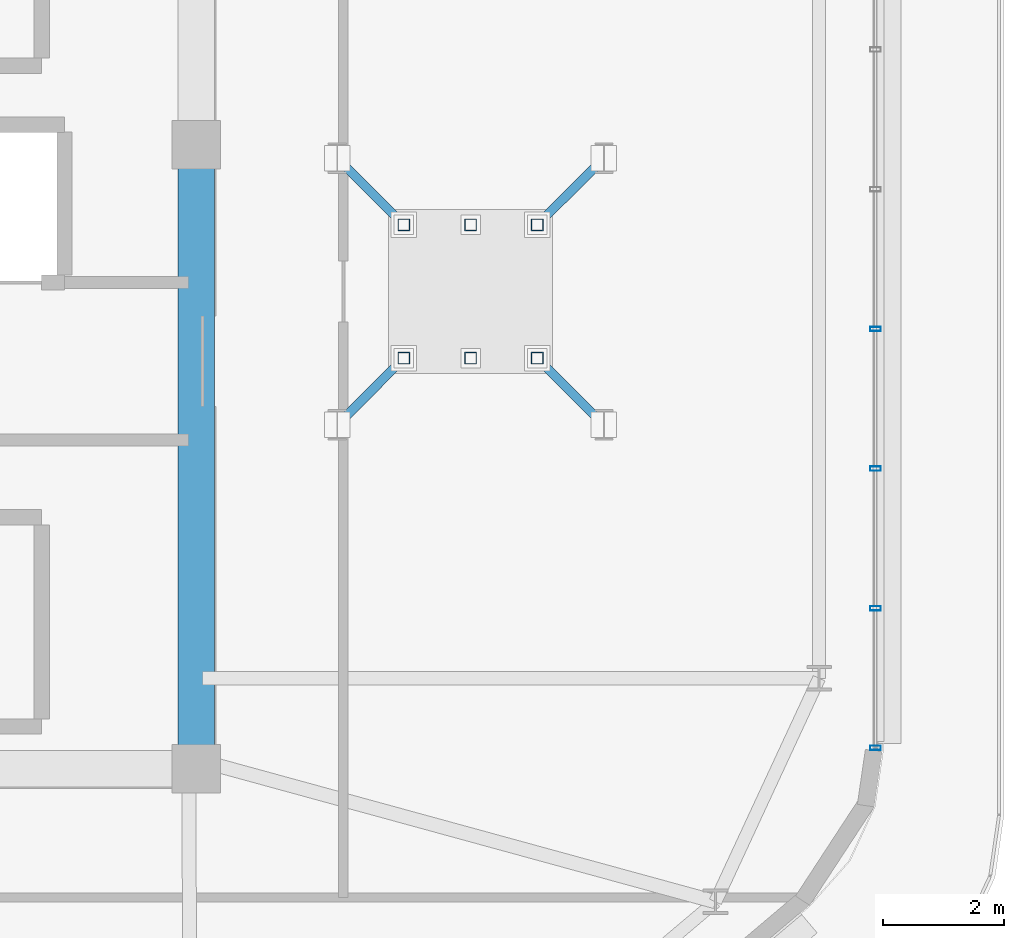
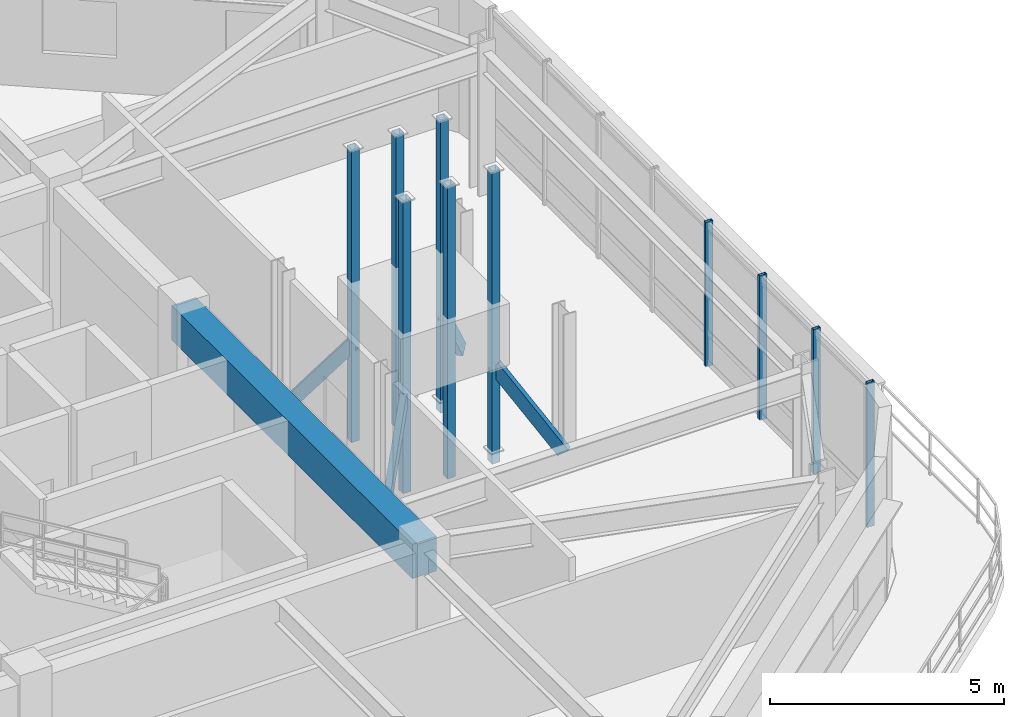
# One storey, part 2 of 13: 14 members, 1 beam, 1 element without a shape of its own.
"""IFC4 building model written with IfcOpenShell, lengths in metres."""

import ifcopenshell
import ifcopenshell.guid

model = None  # the IFC model being written
_history = None  # IfcOwnerHistory: only IFC2X3 demands one
_inside = {}  # id of a spatial element -> (the spatial element, [elements in it])
_under = {}  # id of a project, library or spatial element -> (it, [spatial elements below it])
_declared = {}  # id of a project -> (the project, [libraries it declares])
_typed = {}  # id of a type object -> (the type object, [elements of that type])
_made_of = {}  # id of a material, layer set ... -> (it, [elements and type objects made of it])


def new_model(schema):
    """Start an empty IFC model of exactly this schema.

    Asked for "IFC4X3", IfcOpenShell would pick the latest addendum, in which some entities
    have other attributes; the version numbers below select the first issue.
    IFC2X3 requires an IfcOwnerHistory on every rooted entity: one is made here for all.
    """
    global model, _history
    if schema == "IFC4X3":
        model = ifcopenshell.file(schema_version=(4, 3, 0, 0))
    else:
        model = ifcopenshell.file(schema=schema)
    _inside.clear()
    _under.clear()
    _declared.clear()
    _typed.clear()
    _made_of.clear()
    _history = None
    if model.schema == "IFC2X3":
        org = make("IfcOrganization", Name="unknown")
        user = make(
            "IfcPersonAndOrganization",
            ThePerson=make("IfcPerson", FamilyName="unknown"),
            TheOrganization=org,
        )
        app = make(
            "IfcApplication",
            ApplicationDeveloper=org,
            Version="unknown",
            ApplicationFullName="unknown",
            ApplicationIdentifier="unknown",
        )
        _history = make(
            "IfcOwnerHistory",
            OwningUser=user,
            OwningApplication=app,
            ChangeAction="ADDED",
            CreationDate=0,
        )
    return model


def make(cls, **values):
    """One entity of the class cls with the attributes given. An attribute that is None is left unset."""
    return model.create_entity(
        cls, **{name: value for name, value in values.items() if value is not None}
    )


def rooted(cls, **values):
    """An entity with a GlobalId (a new one), such as an element, a storey or a relation."""
    return make(cls, GlobalId=ifcopenshell.guid.new(), OwnerHistory=_history, **values)


def si_unit(unit_type, name, prefix=None):
    """IfcSIUnit, for example si_unit("LENGTHUNIT", "METRE", prefix="MILLI")."""
    return make("IfcSIUnit", UnitType=unit_type, Prefix=prefix, Name=name)


def assignment(units):
    """IfcUnitAssignment: the units of a project."""
    return None if units is None else make("IfcUnitAssignment", Units=units)


def point(xyz):
    """IfcCartesianPoint."""
    return None if xyz is None else make("IfcCartesianPoint", Coordinates=xyz)


def direction(xyz):
    """IfcDirection."""
    return None if xyz is None else make("IfcDirection", DirectionRatios=xyz)


def frame(location, z_axis=None, x_axis=None):
    """IfcAxis2Placement3D, a coordinate frame: its origin and axes. An axis left out is left unset."""
    return make(
        "IfcAxis2Placement3D",
        Location=point(location),
        Axis=direction(z_axis),
        RefDirection=direction(x_axis),
    )


def frame_2d(location, x_axis=None):
    """IfcAxis2Placement2D, a coordinate frame in the plane: its origin and x axis."""
    return make(
        "IfcAxis2Placement2D", Location=point(location), RefDirection=direction(x_axis)
    )


def origin():
    """The frame at (0, 0, 0) with its axes left unset."""
    return frame((0.0, 0.0, 0.0))


def origin_2d():
    """The frame at (0, 0) in the plane with its x axis left unset."""
    return frame_2d((0.0, 0.0))


def place(relative_to, where):
    """IfcLocalPlacement: puts the frame where relative to a parent placement (None: the world)."""
    return make(
        "IfcLocalPlacement", PlacementRelTo=relative_to, RelativePlacement=where
    )


def context(
    kind, dimensions, precision=None, world=None, true_north=None, identifier=None
):
    """IfcGeometricRepresentationContext, for example the 3D "Model" context."""
    return make(
        "IfcGeometricRepresentationContext",
        ContextIdentifier=identifier,
        ContextType=kind,
        CoordinateSpaceDimension=dimensions,
        Precision=precision,
        WorldCoordinateSystem=world,
        TrueNorth=true_north,
    )


def subcontext(parent, identifier, kind, view, scale=None):
    """IfcGeometricRepresentationSubContext, for example "Body" below "Model"."""
    return make(
        "IfcGeometricRepresentationSubContext",
        ContextIdentifier=identifier,
        ContextType=kind,
        ParentContext=parent,
        TargetScale=scale,
        TargetView=view,
    )


def project(units=None, contexts=None):
    """IfcProject with its units and contexts."""
    return rooted(
        "IfcProject",
        Name="project",
        RepresentationContexts=contexts,
        UnitsInContext=assignment(units),
    )


def spatial(cls, under=None, at=None, **own):
    """A site, building, storey or space (cls), placed at a placement, below another one or the project."""
    s = rooted(cls, ObjectPlacement=at, **own)
    if under is not None:
        _under.setdefault(under.id(), (under, []))[1].append(s)
    return s


def profile(cls, at=None, kind="AREA", **sizes):
    """A parametric profile (cls). Its sizes go by their IFC names, for example OverallWidth=200.0."""
    return make(cls, ProfileType=kind, Position=at, **sizes)


def rectangle(**sizes):
    """IfcRectangleProfileDef."""
    return profile("IfcRectangleProfileDef", **sizes)


def hollow_rectangle(**sizes):
    """IfcRectangleHollowProfileDef."""
    return profile("IfcRectangleHollowProfileDef", **sizes)


def extrude(swept, where, along, depth):
    """IfcExtrudedAreaSolid: the profile swept, set in the frame where, extruded along a direction by depth."""
    return make(
        "IfcExtrudedAreaSolid",
        SweptArea=swept,
        Position=where,
        ExtrudedDirection=direction(along),
        Depth=depth,
    )


def shape(context_of_items, identifier, shape_type, items):
    """IfcShapeRepresentation: the items that make up one representation, for example the "Body"."""
    return make(
        "IfcShapeRepresentation",
        ContextOfItems=context_of_items,
        RepresentationIdentifier=identifier,
        RepresentationType=shape_type,
        Items=items,
    )


def material(Name=None, Category=None):
    """IfcMaterial."""
    return make("IfcMaterial", Name=Name, Category=Category)


def material_profile(
    of_material, cross_section, Name=None, Category=None, Priority=None
):
    """IfcMaterialProfile: a cross section and its material."""
    return make(
        "IfcMaterialProfile",
        Name=Name,
        Material=of_material,
        Profile=cross_section,
        Priority=Priority,
        Category=Category,
    )


def profile_set(profiles, Name=None, composite=None):
    """IfcMaterialProfileSet."""
    return make(
        "IfcMaterialProfileSet",
        Name=Name,
        MaterialProfiles=profiles,
        CompositeProfile=composite,
    )


def made_of(thing, what):
    """Note that an element or type object is made of a material, layer set ...; save() writes the relation."""
    if what is not None:
        _made_of.setdefault(what.id(), (what, []))[1].append(thing)
    return thing


def type_object(cls, material=None, **own):
    """A type object (cls), such as IfcWallType, which elements share."""
    return made_of(rooted(cls, **own), material)


def element(
    cls,
    number,
    at=None,
    inside=None,
    cuts=None,
    type_object=None,
    material=None,
    context=None,
    identifier="Body",
    shape_type=None,
    held_by="IfcProductDefinitionShape",
    body=None,
    shapes=None,
    **own,
):
    """One element of the class cls, such as IfcWall. Its Tag is "e" and its number.

    at: its placement. inside: the storey or other place that contains it. cuts: it is an
    opening in that element (IfcRelVoidsElement). A single representation is given by context,
    identifier, shape_type and body (its items); several are given by shapes. held_by: the class
    of the entity that holds the representations. save() writes the other relations.
    """
    e = rooted(cls, Tag="e%d" % number, ObjectPlacement=at, **own)
    if body is not None:
        shapes = [shape(context, identifier, shape_type, body)]
    if shapes is not None:
        e.Representation = make(held_by, Representations=shapes)
    if inside is not None:
        _inside.setdefault(inside.id(), (inside, []))[1].append(e)
    if cuts is not None:
        rooted(
            "IfcRelVoidsElement", RelatingBuildingElement=cuts, RelatedOpeningElement=e
        )
    if type_object is not None:
        _typed.setdefault(type_object.id(), (type_object, []))[1].append(e)
    return made_of(e, material)


def aggregate(whole, parts):
    """IfcRelAggregates: a whole, such as a stair, and the parts it consists of."""
    return rooted("IfcRelAggregates", RelatingObject=whole, RelatedObjects=parts)


def save(model, path):
    """Write the relations noted so far, then the file.

    IfcRelAggregates (storeys below a building ...), IfcRelContainedInSpatialStructure (elements
    in a storey), IfcRelDefinesByType, IfcRelAssociatesMaterial and IfcRelDeclares: one each for
    every whole, place, type object, material and project.
    """
    for whole, parts in _under.values():
        aggregate(whole, parts)
    for where, things in _inside.values():
        rooted(
            "IfcRelContainedInSpatialStructure",
            RelatedElements=things,
            RelatingStructure=where,
        )
    for kind, things in _typed.values():
        rooted("IfcRelDefinesByType", RelatedObjects=things, RelatingType=kind)
    for what, things in _made_of.values():
        rooted("IfcRelAssociatesMaterial", RelatedObjects=things, RelatingMaterial=what)
    for by, libraries in _declared.values():
        rooted("IfcRelDeclares", RelatingContext=by, RelatedDefinitions=libraries)
    model.write(path)


model = new_model("IFC4")

# Units and contexts
model_context = context("Model", 3, precision=1e-05, world=origin(), true_north=direction((0.0, 1.0)))
body_context = subcontext(model_context, "Body", "Model", "MODEL_VIEW")
ifc_project = project(units=[si_unit("LENGTHUNIT", "METRE"), si_unit("AREAUNIT", "SQUARE_METRE"), si_unit("VOLUMEUNIT", "CUBIC_METRE"), si_unit("PLANEANGLEUNIT", "RADIAN"), si_unit("MASSUNIT", "GRAM", prefix="KILO")], contexts=[model_context])

# Site, building, storey
site_placement = place(None, origin())
site = spatial("IfcSite", under=ifc_project, at=site_placement, CompositionType="ELEMENT")
building_placement = place(site_placement, origin())
building = spatial("IfcBuilding", under=site, at=building_placement, Name="Zulverin Broadcast Headquarters", CompositionType="ELEMENT")
storey_placement = place(building_placement, frame((0.0, 0.0, 313.39990234375)))
storey = spatial("IfcBuildingStorey", under=building, at=storey_placement, Name="C1", CompositionType="ELEMENT", Elevation=313.39990234375)

# Beam
ifc_material_1 = material(Name="Concrete C60/75", Category="concrete")
ifc_material_profile_1 = material_profile(ifc_material_1, rectangle(XDim=0.60009765625, YDim=0.89990234375, at=origin_2d()), Name="Concrete C60/75", Category="concrete")
ifc_profile_set_1 = profile_set([ifc_material_profile_1], Name="Concrete C60/75")
beam_type = type_object("IfcBeamType", Name="BM-CB-600x900", PredefinedType="LINTEL", material=ifc_profile_set_1)
beam_placement = place(storey_placement, frame((48.27490234375, 17.324951171875, 3.27001953125), z_axis=(0.0, 1.0, 0.0), x_axis=(-1.0, 0.0, 0.0)))
element("IfcBeam", 1, at=beam_placement, inside=storey, type_object=beam_type, Name="C1 Core Coupling Girder K03-K04", PredefinedType="LINTEL", context=body_context, shape_type="SweptSolid", body=[
    extrude(rectangle(XDim=0.60009765625, YDim=0.89990234375, at=origin_2d()), origin(), (0.0, 0.0, 1.0), 10.295166015625),
])

# Curtain wall, members
ifc_material_2 = material(Name="Crown damper-hall structural glass curtain wall", Category="glass")
curtain_wall_type = type_object("IfcCurtainWallType", Name="CW-CRN", PredefinedType="USERDEFINED", material=ifc_material_2)
curtain_wall_placement = place(storey_placement, origin())
curtain_wall = element("IfcCurtainWall", 2, at=curtain_wall_placement, inside=storey, type_object=curtain_wall_type, Name="C1 Unitised Curtain Wall CW-C1-E3", ObjectType="UNITISED CURTAIN WALL", PredefinedType="USERDEFINED")
ifc_material_3 = material(Name="Anodized pale-metal aluminium alloy 6063-T6", Category="aluminium")
ifc_material_profile_2 = material_profile(ifc_material_3, hollow_rectangle(XDim=0.074951171875, YDim=0.179931640625, WallThickness=0.0048828125, at=origin_2d()), Name="Anodized pale-metal aluminium alloy 6063-T6", Category="aluminium")
ifc_profile_set_2 = profile_set([ifc_material_profile_2], Name="Anodized pale-metal aluminium alloy 6063-T6")
member_type_1 = type_object("IfcMemberType", Name="CW-MUL-180", PredefinedType="MULLION", material=ifc_profile_set_2)
member_1_placement = place(storey_placement, frame((59.47998046875, 17.669677734375, -0.02978515625), z_axis=(0.0, 0.0, 1.0), x_axis=(0.0, 1.0, 0.0)))
member_1 = element("IfcMember", 3, at=member_1_placement, type_object=member_type_1, Name="CW-C1-E3 Mullion 00", PredefinedType="MULLION", context=body_context, shape_type="SweptSolid", body=[
    extrude(hollow_rectangle(XDim=0.074951171875, YDim=0.179931640625, WallThickness=0.0048828125, at=origin_2d()), origin(), (0.0, 0.0, 1.0), 3.77978515625),
])
member_2_placement = place(storey_placement, frame((59.47998046875, 19.9736328125, -0.02978515625), z_axis=(0.0, 0.0, 1.0), x_axis=(0.0, 1.0, 0.0)))
member_2 = element("IfcMember", 4, at=member_2_placement, type_object=member_type_1, Name="CW-C1-E3 Mullion 01", PredefinedType="MULLION", context=body_context, shape_type="SweptSolid", body=[
    extrude(hollow_rectangle(XDim=0.074951171875, YDim=0.179931640625, WallThickness=0.0048828125, at=origin_2d()), origin(), (0.0, 0.0, 1.0), 3.77978515625),
])
member_3_placement = place(storey_placement, frame((59.47998046875, 22.27783203125, -0.02978515625), z_axis=(0.0, 0.0, 1.0), x_axis=(0.0, 1.0, 0.0)))
member_3 = element("IfcMember", 5, at=member_3_placement, type_object=member_type_1, Name="CW-C1-E3 Mullion 02", PredefinedType="MULLION", context=body_context, shape_type="SweptSolid", body=[
    extrude(hollow_rectangle(XDim=0.074951171875, YDim=0.179931640625, WallThickness=0.0048828125, at=origin_2d()), origin(), (0.0, 0.0, 1.0), 3.77978515625),
])
member_4_placement = place(storey_placement, frame((59.47998046875, 24.581787109375, -0.02978515625), z_axis=(0.0, 0.0, 1.0), x_axis=(0.0, 1.0, 0.0)))
member_4 = element("IfcMember", 6, at=member_4_placement, type_object=member_type_1, Name="CW-C1-E3 Mullion 03", PredefinedType="MULLION", context=body_context, shape_type="SweptSolid", body=[
    extrude(hollow_rectangle(XDim=0.074951171875, YDim=0.179931640625, WallThickness=0.0048828125, at=origin_2d()), origin(), (0.0, 0.0, 1.0), 3.77978515625),
])
aggregate(curtain_wall, [member_1, member_2, member_3, member_4])

# Members
ifc_material_4 = material(Name="Structural steel S355JR", Category="steel")
ifc_material_profile_3 = material_profile(ifc_material_4, hollow_rectangle(XDim=0.199951171875, YDim=0.199951171875, WallThickness=0.012451171875, at=origin_2d()), Name="Structural steel S355JR", Category="steel")
ifc_profile_set_3 = profile_set([ifc_material_profile_3], Name="Structural steel S355JR")
member_type_2 = type_object("IfcMemberType", Name="MBR-TMD-HANGER", PredefinedType="POST", material=ifc_profile_set_3)
for number, where, z_axis, x_axis, name in (
    (7, (51.699951171875, 24.10009765625, -0.27978515625), (0.0, 0.0, 1.0), (1.0, 0.0, 0.0), "Tuned Mass Damper Pendulum Guide Post TMH-1"),
    (8, (53.89990234375, 24.10009765625, -0.27978515625), (0.0, 0.0, 1.0), (1.0, 0.0, 0.0), "Tuned Mass Damper Pendulum Guide Post TMH-2"),
    (9, (53.89990234375, 26.300048828125, -0.27978515625), (0.0, 0.0, 1.0), (1.0, 0.0, 0.0), "Tuned Mass Damper Pendulum Guide Post TMH-3"),
    (10, (51.699951171875, 26.300048828125, -0.27978515625), (0.0, 0.0, 1.0), (1.0, 0.0, 0.0), "Tuned Mass Damper Pendulum Guide Post TMH-4"),
    (11, (52.800048828125, 24.10009765625, -0.27978515625), (0.0, 0.0, 1.0), (1.0, 0.0, 0.0), "Tuned Mass Damper Secondary Guide Post TMH-5"),
    (12, (52.800048828125, 26.300048828125, -0.27978515625), (0.0, 0.0, 1.0), (1.0, 0.0, 0.0), "Tuned Mass Damper Secondary Guide Post TMH-6"),
):
    element("IfcMember", number, at=place(storey_placement, frame(where, z_axis=z_axis, x_axis=x_axis)), inside=storey, type_object=member_type_2, Name=name, PredefinedType="POST", context=body_context, shape_type="SweptSolid", body=[
        extrude(hollow_rectangle(XDim=0.199951171875, YDim=0.199951171875, WallThickness=0.012451171875, at=origin_2d()), origin(), (0.0, 0.0, 1.0), 7.64990234375),
    ])
ifc_material_profile_4 = material_profile(ifc_material_4, hollow_rectangle(XDim=0.14990234375, YDim=0.300048828125, WallThickness=0.012451171875, at=origin_2d()), Name="Structural steel S355JR", Category="steel")
ifc_profile_set_4 = profile_set([ifc_material_profile_4], Name="Structural steel S355JR")
member_type_3 = type_object("IfcMemberType", Name="MBR-TMD-STRUT", PredefinedType="STRUT", material=ifc_profile_set_4)
for number, where, z_axis, x_axis, name in (
    (13, (50.60009765625, 23.0, 0.25), (0.435437755202, 0.435534411752, 0.787847534441), (-0.707185248342, 0.707028305322, 0.0), "Tuned Mass Damper Viscous Strut TMS-1"),
    (14, (55.0, 23.0, 0.25), (-0.435516080141, 0.435516080141, 0.787814373997), (-0.707106781187, -0.707106781187, 0.0), "Tuned Mass Damper Viscous Strut TMS-2"),
    (15, (55.0, 27.39990234375, 0.25), (-0.435534411752, -0.435437755202, 0.787847534441), (0.707028305322, -0.707185248342, 0.0), "Tuned Mass Damper Viscous Strut TMS-3"),
):
    element("IfcMember", number, at=place(storey_placement, frame(where, z_axis=z_axis, x_axis=x_axis)), inside=storey, type_object=member_type_3, Name=name, PredefinedType="STRUT", context=body_context, shape_type="SweptSolid", body=[
        extrude(hollow_rectangle(XDim=0.14990234375, YDim=0.300048828125, WallThickness=0.012451171875, at=origin_2d()), origin(), (0.0, 0.0, 1.0), 2.52587890625),
    ])
member_5_placement = place(storey_placement, frame((50.60009765625, 27.39990234375, 0.25), z_axis=(0.435456085059, -0.435456085059, 0.787880699072), x_axis=(0.707106781187, 0.707106781187, 0.0)))
element("IfcMember", 16, at=member_5_placement, inside=storey, type_object=member_type_3, Name="Tuned Mass Damper Viscous Strut TMS-4", PredefinedType="STRUT", context=body_context, shape_type="SweptSolid", body=[
    extrude(hollow_rectangle(XDim=0.14990234375, YDim=0.300048828125, WallThickness=0.012451171875, at=origin_2d()), origin(), (0.0, 0.0, 1.0), 2.525634765625),
])

save(model, "model.ifc")
